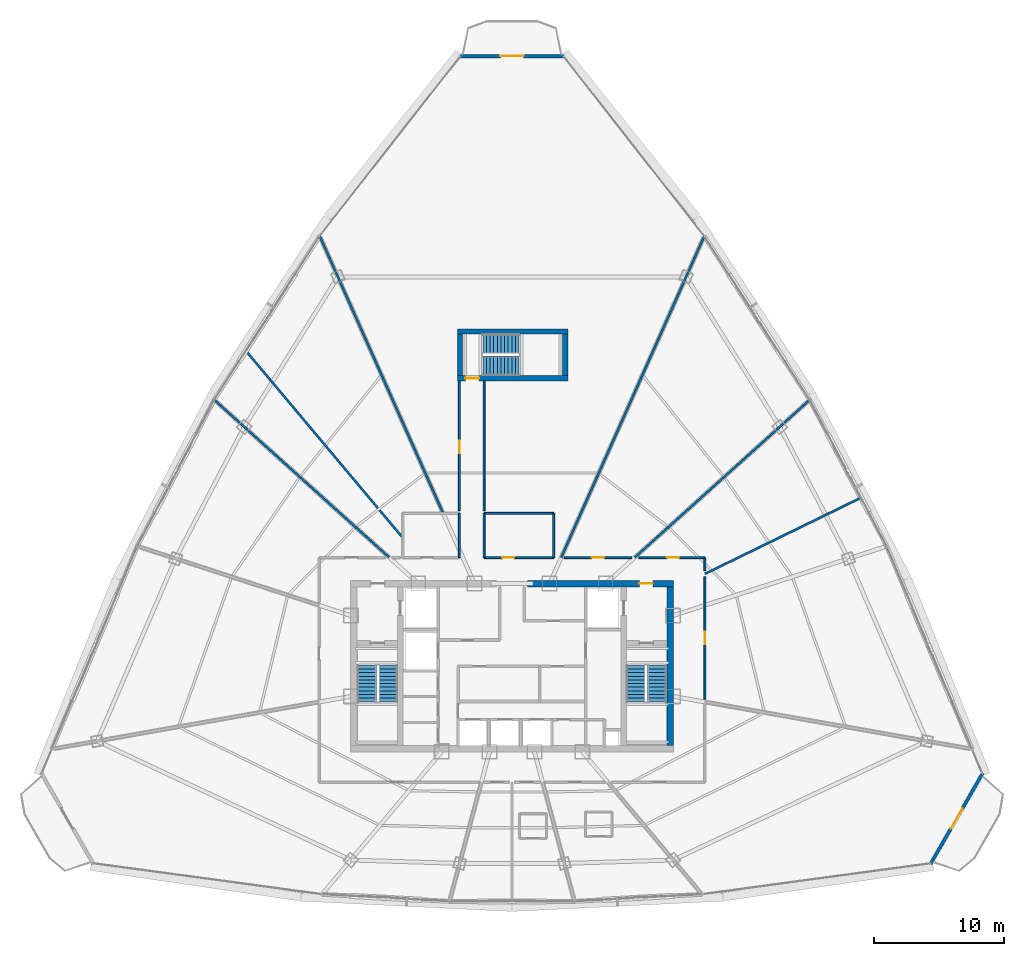
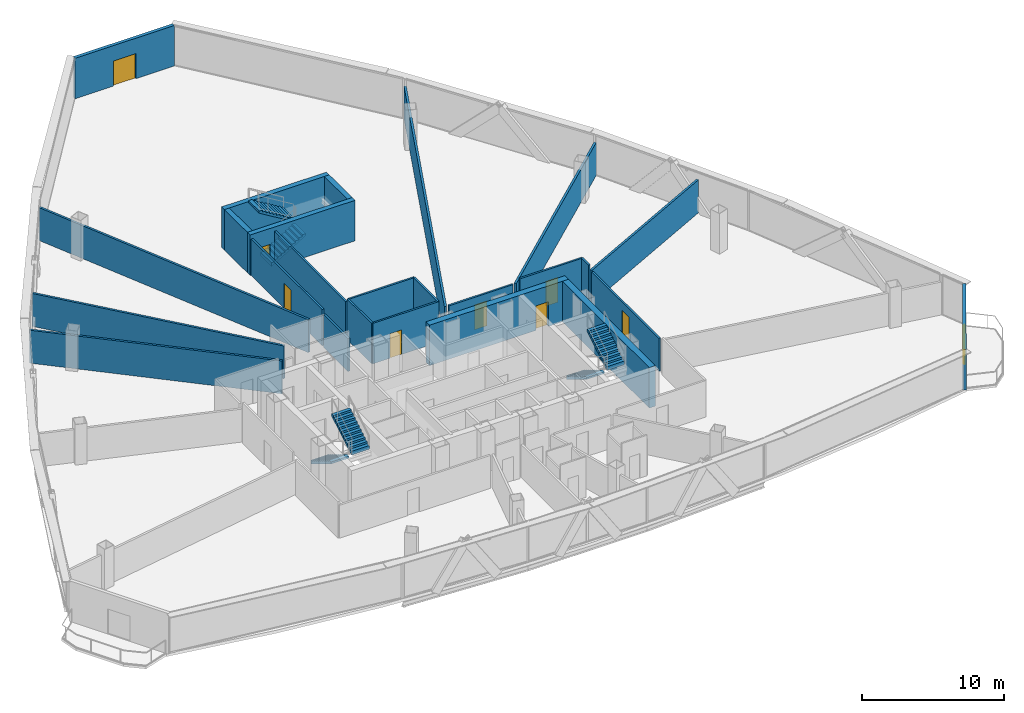
# One storey, part 29 of 34: 25 walls, 9 doors, 6 stair flights, 9 openings, 3 elements without a shape of their own.
"""IFC4 building model written with IfcOpenShell, lengths in metres."""

import ifcopenshell
import ifcopenshell.guid

model = None  # the IFC model being written
_history = None  # IfcOwnerHistory: only IFC2X3 demands one
_inside = {}  # id of a spatial element -> (the spatial element, [elements in it])
_under = {}  # id of a project, library or spatial element -> (it, [spatial elements below it])
_declared = {}  # id of a project -> (the project, [libraries it declares])
_typed = {}  # id of a type object -> (the type object, [elements of that type])
_made_of = {}  # id of a material, layer set ... -> (it, [elements and type objects made of it])


def new_model(schema):
    """Start an empty IFC model of exactly this schema.

    Asked for "IFC4X3", IfcOpenShell would pick the latest addendum, in which some entities
    have other attributes; the version numbers below select the first issue.
    IFC2X3 requires an IfcOwnerHistory on every rooted entity: one is made here for all.
    """
    global model, _history
    if schema == "IFC4X3":
        model = ifcopenshell.file(schema_version=(4, 3, 0, 0))
    else:
        model = ifcopenshell.file(schema=schema)
    _inside.clear()
    _under.clear()
    _declared.clear()
    _typed.clear()
    _made_of.clear()
    _history = None
    if model.schema == "IFC2X3":
        org = make("IfcOrganization", Name="unknown")
        user = make(
            "IfcPersonAndOrganization",
            ThePerson=make("IfcPerson", FamilyName="unknown"),
            TheOrganization=org,
        )
        app = make(
            "IfcApplication",
            ApplicationDeveloper=org,
            Version="unknown",
            ApplicationFullName="unknown",
            ApplicationIdentifier="unknown",
        )
        _history = make(
            "IfcOwnerHistory",
            OwningUser=user,
            OwningApplication=app,
            ChangeAction="ADDED",
            CreationDate=0,
        )
    return model


def make(cls, **values):
    """One entity of the class cls with the attributes given. An attribute that is None is left unset."""
    return model.create_entity(
        cls, **{name: value for name, value in values.items() if value is not None}
    )


def rooted(cls, **values):
    """An entity with a GlobalId (a new one), such as an element, a storey or a relation."""
    return make(cls, GlobalId=ifcopenshell.guid.new(), OwnerHistory=_history, **values)


def si_unit(unit_type, name, prefix=None):
    """IfcSIUnit, for example si_unit("LENGTHUNIT", "METRE", prefix="MILLI")."""
    return make("IfcSIUnit", UnitType=unit_type, Prefix=prefix, Name=name)


def assignment(units):
    """IfcUnitAssignment: the units of a project."""
    return None if units is None else make("IfcUnitAssignment", Units=units)


def point(xyz):
    """IfcCartesianPoint."""
    return None if xyz is None else make("IfcCartesianPoint", Coordinates=xyz)


def direction(xyz):
    """IfcDirection."""
    return None if xyz is None else make("IfcDirection", DirectionRatios=xyz)


def frame(location, z_axis=None, x_axis=None):
    """IfcAxis2Placement3D, a coordinate frame: its origin and axes. An axis left out is left unset."""
    return make(
        "IfcAxis2Placement3D",
        Location=point(location),
        Axis=direction(z_axis),
        RefDirection=direction(x_axis),
    )


def frame_2d(location, x_axis=None):
    """IfcAxis2Placement2D, a coordinate frame in the plane: its origin and x axis."""
    return make(
        "IfcAxis2Placement2D", Location=point(location), RefDirection=direction(x_axis)
    )


def origin():
    """The frame at (0, 0, 0) with its axes left unset."""
    return frame((0.0, 0.0, 0.0))


def origin_with_axes():
    """The frame at (0, 0, 0) with the z axis (0, 0, 1) and the x axis (1, 0, 0) written out."""
    return frame((0.0, 0.0, 0.0), z_axis=(0.0, 0.0, 1.0), x_axis=(1.0, 0.0, 0.0))


def place(relative_to, where):
    """IfcLocalPlacement: puts the frame where relative to a parent placement (None: the world)."""
    return make(
        "IfcLocalPlacement", PlacementRelTo=relative_to, RelativePlacement=where
    )


def context(
    kind, dimensions, precision=None, world=None, true_north=None, identifier=None
):
    """IfcGeometricRepresentationContext, for example the 3D "Model" context."""
    return make(
        "IfcGeometricRepresentationContext",
        ContextIdentifier=identifier,
        ContextType=kind,
        CoordinateSpaceDimension=dimensions,
        Precision=precision,
        WorldCoordinateSystem=world,
        TrueNorth=true_north,
    )


def subcontext(parent, identifier, kind, view, scale=None):
    """IfcGeometricRepresentationSubContext, for example "Body" below "Model"."""
    return make(
        "IfcGeometricRepresentationSubContext",
        ContextIdentifier=identifier,
        ContextType=kind,
        ParentContext=parent,
        TargetScale=scale,
        TargetView=view,
    )


def project(units=None, contexts=None):
    """IfcProject with its units and contexts."""
    return rooted(
        "IfcProject",
        Name="project",
        RepresentationContexts=contexts,
        UnitsInContext=assignment(units),
    )


def spatial(cls, under=None, at=None, **own):
    """A site, building, storey or space (cls), placed at a placement, below another one or the project."""
    s = rooted(cls, ObjectPlacement=at, **own)
    if under is not None:
        _under.setdefault(under.id(), (under, []))[1].append(s)
    return s


def polyline(points):
    """IfcPolyline through the points."""
    return make("IfcPolyline", Points=[point(p) for p in points])


def profile(cls, at=None, kind="AREA", **sizes):
    """A parametric profile (cls). Its sizes go by their IFC names, for example OverallWidth=200.0."""
    return make(cls, ProfileType=kind, Position=at, **sizes)


def rectangle(**sizes):
    """IfcRectangleProfileDef."""
    return profile("IfcRectangleProfileDef", **sizes)


def outline(outer, holes=None, kind="AREA"):
    """IfcArbitraryClosedProfileDef: a profile drawn as a closed curve; with holes, ...WithVoids."""
    if holes is None:
        return make("IfcArbitraryClosedProfileDef", ProfileType=kind, OuterCurve=outer)
    return make(
        "IfcArbitraryProfileDefWithVoids",
        ProfileType=kind,
        OuterCurve=outer,
        InnerCurves=holes,
    )


def extrude(swept, where, along, depth):
    """IfcExtrudedAreaSolid: the profile swept, set in the frame where, extruded along a direction by depth."""
    return make(
        "IfcExtrudedAreaSolid",
        SweptArea=swept,
        Position=where,
        ExtrudedDirection=direction(along),
        Depth=depth,
    )


def shape(context_of_items, identifier, shape_type, items):
    """IfcShapeRepresentation: the items that make up one representation, for example the "Body"."""
    return make(
        "IfcShapeRepresentation",
        ContextOfItems=context_of_items,
        RepresentationIdentifier=identifier,
        RepresentationType=shape_type,
        Items=items,
    )


def source(mapping_origin, context_of_items, identifier, shape_type, items):
    """IfcRepresentationMap: a shape defined once, which mapped items show again and again."""
    return make(
        "IfcRepresentationMap",
        MappingOrigin=mapping_origin,
        MappedRepresentation=shape(context_of_items, identifier, shape_type, items),
    )


def transform(
    local_origin,
    x_axis=None,
    y_axis=None,
    z_axis=None,
    scale=None,
    scale2=None,
    scale3=None,
    uniform=True,
):
    """IfcCartesianTransformationOperator3D, or its non-uniform kind. x_axis, y_axis, z_axis: its Axis1, 2, 3."""
    if uniform:
        return make(
            "IfcCartesianTransformationOperator3D",
            Axis1=direction(x_axis),
            Axis2=direction(y_axis),
            LocalOrigin=point(local_origin),
            Scale=scale,
            Axis3=direction(z_axis),
        )
    return make(
        "IfcCartesianTransformationOperator3DnonUniform",
        Axis1=direction(x_axis),
        Axis2=direction(y_axis),
        LocalOrigin=point(local_origin),
        Scale=scale,
        Axis3=direction(z_axis),
        Scale2=scale2,
        Scale3=scale3,
    )


def mapped(mapping_source, mapping_target):
    """IfcMappedItem: shows the shape of a source again, moved by a transform."""
    return make(
        "IfcMappedItem", MappingSource=mapping_source, MappingTarget=mapping_target
    )


def material(Name=None, Category=None):
    """IfcMaterial."""
    return make("IfcMaterial", Name=Name, Category=Category)


def layer(
    of_material, thickness, ventilated=None, Name=None, Category=None, Priority=None
):
    """IfcMaterialLayer: one layer of a wall or slab, of a material (None: an air gap)."""
    return make(
        "IfcMaterialLayer",
        Material=of_material,
        LayerThickness=thickness,
        IsVentilated=ventilated,
        Name=Name,
        Category=Category,
        Priority=Priority,
    )


def layer_set(layers, Name=None):
    """IfcMaterialLayerSet."""
    return make("IfcMaterialLayerSet", MaterialLayers=layers, LayerSetName=Name)


def made_of(thing, what):
    """Note that an element or type object is made of a material, layer set ...; save() writes the relation."""
    if what is not None:
        _made_of.setdefault(what.id(), (what, []))[1].append(thing)
    return thing


def type_object(cls, material=None, **own):
    """A type object (cls), such as IfcWallType, which elements share."""
    return made_of(rooted(cls, **own), material)


def element(
    cls,
    number,
    at=None,
    inside=None,
    cuts=None,
    type_object=None,
    material=None,
    context=None,
    identifier="Body",
    shape_type=None,
    held_by="IfcProductDefinitionShape",
    body=None,
    shapes=None,
    **own,
):
    """One element of the class cls, such as IfcWall. Its Tag is "e" and its number.

    at: its placement. inside: the storey or other place that contains it. cuts: it is an
    opening in that element (IfcRelVoidsElement). A single representation is given by context,
    identifier, shape_type and body (its items); several are given by shapes. held_by: the class
    of the entity that holds the representations. save() writes the other relations.
    """
    e = rooted(cls, Tag="e%d" % number, ObjectPlacement=at, **own)
    if body is not None:
        shapes = [shape(context, identifier, shape_type, body)]
    if shapes is not None:
        e.Representation = make(held_by, Representations=shapes)
    if inside is not None:
        _inside.setdefault(inside.id(), (inside, []))[1].append(e)
    if cuts is not None:
        rooted(
            "IfcRelVoidsElement", RelatingBuildingElement=cuts, RelatedOpeningElement=e
        )
    if type_object is not None:
        _typed.setdefault(type_object.id(), (type_object, []))[1].append(e)
    return made_of(e, material)


def fill(opening, filler):
    """IfcRelFillsElement: the door or window that sits in an opening."""
    return rooted(
        "IfcRelFillsElement",
        RelatingOpeningElement=opening,
        RelatedBuildingElement=filler,
    )


def aggregate(whole, parts):
    """IfcRelAggregates: a whole, such as a stair, and the parts it consists of."""
    return rooted("IfcRelAggregates", RelatingObject=whole, RelatedObjects=parts)


def save(model, path):
    """Write the relations noted so far, then the file.

    IfcRelAggregates (storeys below a building ...), IfcRelContainedInSpatialStructure (elements
    in a storey), IfcRelDefinesByType, IfcRelAssociatesMaterial and IfcRelDeclares: one each for
    every whole, place, type object, material and project.
    """
    for whole, parts in _under.values():
        aggregate(whole, parts)
    for where, things in _inside.values():
        rooted(
            "IfcRelContainedInSpatialStructure",
            RelatedElements=things,
            RelatingStructure=where,
        )
    for kind, things in _typed.values():
        rooted("IfcRelDefinesByType", RelatedObjects=things, RelatingType=kind)
    for what, things in _made_of.values():
        rooted("IfcRelAssociatesMaterial", RelatedObjects=things, RelatingMaterial=what)
    for by, libraries in _declared.values():
        rooted("IfcRelDeclares", RelatingContext=by, RelatedDefinitions=libraries)
    model.write(path)


model = new_model("IFC4")

# Units and contexts
model_context = context("Model", 3, precision=1e-05, world=origin(), true_north=direction((0.0, 1.0)))
body_context = subcontext(model_context, "Body", "Model", "MODEL_VIEW")
ifc_project = project(units=[si_unit("LENGTHUNIT", "METRE"), si_unit("AREAUNIT", "SQUARE_METRE"), si_unit("VOLUMEUNIT", "CUBIC_METRE"), si_unit("PLANEANGLEUNIT", "RADIAN"), si_unit("MASSUNIT", "GRAM", prefix="KILO"), si_unit("THERMODYNAMICTEMPERATUREUNIT", "KELVIN"), si_unit("POWERUNIT", "WATT")], contexts=[model_context])

# Site, building, storey
site_placement = place(None, origin())
site = spatial("IfcSite", under=ifc_project, at=site_placement, CompositionType="ELEMENT")
building_placement = place(site_placement, origin())
building = spatial("IfcBuilding", under=site, at=building_placement, Name="Yunzhuo Pagoda Commons", CompositionType="ELEMENT")
storey_placement = place(building_placement, frame((0.0, 0.0, 229.610107421875)))
storey = spatial("IfcBuildingStorey", under=building, at=storey_placement, Name="L57", CompositionType="ELEMENT", Elevation=229.610107421875)

# Wall, opening, door
ifc_material_1 = material(Name="Precast concrete C40", Category="concrete")
ifc_layer_1 = layer(ifc_material_1, 0.260009765625)
ifc_layer_set_1 = layer_set([ifc_layer_1], Name="Precast concrete C40")
wall_type_1 = type_object("IfcWallType", Name="W-BAL1 Corner Balcony Threshold Wall 260", PredefinedType="STANDARD", material=ifc_layer_set_1)
wall_1_placement = place(storey_placement, frame((80.22021484375, 18.607666015625, 0.0), z_axis=(0.0, 0.0, 1.0), x_axis=(0.49791595327, 0.867225289921, 0.0)))
wall_1 = element("IfcWall", 1, at=wall_1_placement, inside=storey, type_object=wall_type_1, Name="L57 corner balcony wall V2", PredefinedType="STANDARD", context=body_context, shape_type="SweptSolid", body=[
    extrude(rectangle(XDim=8.07373046875, YDim=0.260009765625, at=frame_2d((4.036865234375, 0.0))), origin(), (0.0, 0.0, 1.0), 3.469970703125),
])
opening_1_placement = place(wall_1_placement, frame((3.136962890625, 0.0, 0.0)))
opening_1 = element("IfcOpeningElement", 2, at=opening_1_placement, cuts=wall_1, Name="Opening D-BAL1", PredefinedType="OPENING", context=body_context, shape_type="SweptSolid", body=[
    extrude(rectangle(XDim=1.800048828125, YDim=2.14990234375, at=frame_2d((0.89990234375, 1.074951171875))), frame((0.0, 0.14013671875, 0.0), z_axis=(0.0, -1.0, 0.0), x_axis=(1.0, 0.0, 0.0)), (0.0, 0.0, 1.0), 0.280029296875),
])
ifc_material_2 = material(Name="Anodized aluminium frame and tempered glazed leaf", Category="aluminium")
door_type_1 = type_object("IfcDoorType", Name="D-BAL1 Corner Balcony Sliding Glazed Door 1800x2150", OperationType="DOUBLE_DOOR_SLIDING", PredefinedType="DOOR", material=ifc_material_2)
shared_shape_1 = source(origin(), body_context, "Body", "SweptSolid", [
    extrude(rectangle(XDim=1.800048828125, YDim=2.14990234375, at=frame_2d((0.89990234375, 1.074951171875))), frame((0.0, 0.02490234375, 0.0), z_axis=(0.0, -1.0, 0.0), x_axis=(1.0, 0.0, 0.0)), (0.0, 0.0, 1.0), 0.050048828125),
])
door_1_placement = place(opening_1_placement, origin_with_axes())
door_1 = element("IfcDoor", 3, at=door_1_placement, inside=storey, type_object=door_type_1, Name="L57 corner balcony sliding door V2", OperationType="DOUBLE_DOOR_SLIDING", OverallHeight=2.14990234375, OverallWidth=1.800048828125, PredefinedType="DOOR", context=body_context, shape_type="MappedRepresentation", body=[
    mapped(shared_shape_1, transform((0.0, 0.0, 0.0), scale=1.0)),
])
fill(opening_1, door_1)

wall_2_placement = place(storey_placement, frame((52.020751953125, 80.802001953125, 0.0), z_axis=(0.0, 0.0, 1.0), x_axis=(-1.0, 0.0, 0.0)))
wall_2 = element("IfcWall", 4, at=wall_2_placement, inside=storey, type_object=wall_type_1, Name="L57 corner balcony wall V3", PredefinedType="STANDARD", context=body_context, shape_type="SweptSolid", body=[
    extrude(rectangle(XDim=8.04150390625, YDim=0.260009765625, at=frame_2d((4.020751953125, 0.0))), origin(), (0.0, 0.0, 1.0), 3.469970703125),
])
opening_2_placement = place(wall_2_placement, frame((3.120849609375, 0.0, 0.0)))
opening_2 = element("IfcOpeningElement", 5, at=opening_2_placement, cuts=wall_2, Name="Opening D-BAL1", PredefinedType="OPENING", context=body_context, shape_type="SweptSolid", body=[
    extrude(rectangle(XDim=1.800048828125, YDim=2.14990234375, at=frame_2d((0.89990234375, 1.074951171875))), frame((0.0, 0.14013671875, 0.0), z_axis=(0.0, -1.0, 0.0), x_axis=(1.0, 0.0, 0.0)), (0.0, 0.0, 1.0), 0.280029296875),
])
door_2_placement = place(opening_2_placement, origin_with_axes())
door_2 = element("IfcDoor", 6, at=door_2_placement, inside=storey, type_object=door_type_1, Name="L57 corner balcony sliding door V3", OperationType="DOUBLE_DOOR_SLIDING", OverallHeight=2.14990234375, OverallWidth=1.800048828125, PredefinedType="DOOR", context=body_context, shape_type="MappedRepresentation", body=[
    mapped(shared_shape_1, transform((0.0, 0.0, 0.0), scale=1.0)),
])
fill(opening_2, door_2)

ifc_material_3 = material(Name="Concrete C50", Category="concrete")
ifc_layer_2 = layer(ifc_material_3, 0.5)
ifc_layer_set_2 = layer_set([ifc_layer_2], Name="Concrete C50")
wall_type_2 = type_object("IfcWallType", Name="W-C03 Upper Core Shear Wall 500", PredefinedType="SHEAR", material=ifc_layer_set_2)
wall_3_placement = place(storey_placement, frame((49.199951171875, 40.199951171875, 0.0), z_axis=(0.0, 0.0, 1.0), x_axis=(1.0, 0.0, 0.0)))
wall_3 = element("IfcWall", 7, at=wall_3_placement, inside=storey, type_object=wall_type_2, Name="L57 core shear wall NE", PredefinedType="SHEAR", context=body_context, shape_type="SweptSolid", body=[
    extrude(rectangle(XDim=11.25, YDim=0.5, at=frame_2d((5.625, 0.0))), origin(), (0.0, 0.0, 1.0), 3.469970703125),
])
opening_3_placement = place(wall_3_placement, frame((8.60009765625, 0.0, 0.0)))
opening_3 = element("IfcOpeningElement", 8, at=opening_3_placement, cuts=wall_3, Name="Opening D-02", PredefinedType="OPENING", context=body_context, shape_type="SweptSolid", body=[
    extrude(rectangle(XDim=1.050048828125, YDim=2.10009765625, at=frame_2d((0.52490234375, 1.050048828125))), frame((0.0, 0.260009765625, 0.0), z_axis=(0.0, -1.0, 0.0), x_axis=(1.0, 0.0, 0.0)), (0.0, 0.0, 1.0), 0.52001953125),
])
ifc_material_4 = material(Name="Galvanized fire-resisting metal leaf")
door_type_2 = type_object("IfcDoorType", Name="D-02 Firefighting Lobby & Refuge Fire Door 1050x2100", OperationType="NOTDEFINED", PredefinedType="DOOR", material=ifc_material_4)
shared_shape_2 = source(origin(), body_context, "Body", "SweptSolid", [
    extrude(rectangle(XDim=1.050048828125, YDim=2.10009765625, at=frame_2d((0.52490234375, 1.050048828125))), frame((0.0, 0.02490234375, 0.0), z_axis=(0.0, -1.0, 0.0), x_axis=(1.0, 0.0, 0.0)), (0.0, 0.0, 1.0), 0.050048828125),
])
door_3_placement = place(opening_3_placement, frame((1.050048828125, 0.0, 0.0), z_axis=(0.0, 0.0, 1.0), x_axis=(-1.0, 0.0, 0.0)))
door_3 = element("IfcDoor", 9, at=door_3_placement, inside=storey, type_object=door_type_2, Name="L57 Firefighting Lobby 2 fire door", OperationType="SINGLE_SWING_RIGHT", OverallHeight=2.10009765625, OverallWidth=1.050048828125, PredefinedType="DOOR", context=body_context, shape_type="MappedRepresentation", body=[
    mapped(shared_shape_2, transform((0.0, 0.0, 0.0), scale=1.0)),
])
fill(opening_3, door_3)

# Walls
wall_4_placement = place(storey_placement, frame((60.199951171875, 27.75, 0.0), z_axis=(0.0, 0.0, 1.0), x_axis=(0.0, 1.0, 0.0)))
element("IfcWall", 10, at=wall_4_placement, inside=storey, type_object=wall_type_2, Name="L57 core shear wall E", PredefinedType="SHEAR", context=body_context, shape_type="SweptSolid", body=[
    extrude(rectangle(XDim=12.199951171875, YDim=0.5, at=frame_2d((6.10009765625, 0.0))), origin(), (0.0, 0.0, 1.0), 3.469970703125),
])
ifc_material_5 = material(Name="Gypsum plasterboard on acoustic stud")
ifc_layer_3 = layer(ifc_material_5, 0.14990234375)
ifc_layer_set_3 = layer_set([ifc_layer_3], Name="Gypsum plasterboard on acoustic stud")
wall_type_3 = type_object("IfcWallType", Name="W-COR3 High-Zone Rated Corridor Wall 150", PredefinedType="PARTITIONING", material=ifc_layer_set_3)
wall_5_placement = place(storey_placement, frame((43.949951171875, 42.199951171875, 0.0), z_axis=(0.0, 0.0, 1.0), x_axis=(0.0, 1.0, 0.0)))
element("IfcWall", 11, at=wall_5_placement, inside=storey, type_object=wall_type_3, Name="L57 interior wall IW-L57-TFWE", PredefinedType="PARTITIONING", context=body_context, shape_type="SweptSolid", body=[
    extrude(rectangle(XDim=3.400146484375, YDim=0.14990234375, at=frame_2d((1.7001953125, 0.0))), origin(), (0.0, 0.0, 1.0), 2.81982421875),
])

# Wall, opening, door
wall_6_placement = place(storey_placement, frame((45.85009765625, 42.199951171875, 0.0), z_axis=(0.0, 0.0, 1.0), x_axis=(1.0, 0.0, 0.0)))
wall_6 = element("IfcWall", 12, at=wall_6_placement, inside=storey, type_object=wall_type_3, Name="L57 interior wall IW-L57-TFES", PredefinedType="PARTITIONING", context=body_context, shape_type="SweptSolid", body=[
    extrude(rectangle(XDim=5.349853515625, YDim=0.14990234375, at=frame_2d((2.6748046875, 0.0))), origin(), (0.0, 0.0, 1.0), 3.469970703125),
])
opening_4_placement = place(wall_6_placement, frame((1.39990234375, 0.0, 0.0)))
opening_4 = element("IfcOpeningElement", 13, at=opening_4_placement, cuts=wall_6, Name="Opening D-11", PredefinedType="OPENING", context=body_context, shape_type="SweptSolid", body=[
    extrude(rectangle(XDim=0.93994140625, YDim=2.10009765625, at=frame_2d((0.469970703125, 1.050048828125))), frame((0.0, 0.0849609375, 0.0), z_axis=(0.0, -1.0, 0.0), x_axis=(1.0, 0.0, 0.0)), (0.0, 0.0, 1.0), 0.169921875),
])
door_type_3 = type_object("IfcDoorType", Name="D-11 Accessible Washroom Fire Door 940x2100", OperationType="NOTDEFINED", PredefinedType="DOOR", material=ifc_material_4)
shared_shape_3 = source(origin(), body_context, "Body", "SweptSolid", [
    extrude(rectangle(XDim=0.93994140625, YDim=2.10009765625, at=frame_2d((0.469970703125, 1.050048828125))), frame((0.0, 0.02490234375, 0.0), z_axis=(0.0, -1.0, 0.0), x_axis=(1.0, 0.0, 0.0)), (0.0, 0.0, 1.0), 0.050048828125),
])
door_4_placement = place(opening_4_placement, frame((0.93994140625, 0.0, 0.0), z_axis=(0.0, 0.0, 1.0), x_axis=(-1.0, 0.0, 0.0)))
door_4 = element("IfcDoor", 14, at=door_4_placement, inside=storey, type_object=door_type_3, Name="L57 accessible WC door", OperationType="SINGLE_SWING_RIGHT", OverallHeight=2.10009765625, OverallWidth=0.93994140625, PredefinedType="DOOR", context=body_context, shape_type="MappedRepresentation", body=[
    mapped(shared_shape_3, transform((0.0, 0.0, 0.0), scale=1.0)),
])
fill(opening_4, door_4)

# Walls
wall_7_placement = place(storey_placement, frame((45.85009765625, 45.60009765625, 0.0), z_axis=(0.0, 0.0, 1.0), x_axis=(1.0, 0.0, 0.0)))
element("IfcWall", 15, at=wall_7_placement, inside=storey, type_object=wall_type_3, Name="L57 interior wall IW-L57-TFEN", PredefinedType="PARTITIONING", context=body_context, shape_type="SweptSolid", body=[
    extrude(rectangle(XDim=5.349853515625, YDim=0.14990234375, at=frame_2d((2.6748046875, 0.0))), origin(), (0.0, 0.0, 1.0), 3.469970703125),
])
for number, where, z_axis, x_axis, name in (
    (16, (45.85009765625, 42.199951171875, 0.0), (0.0, 0.0, 1.0), (0.0, 1.0, 0.0), "L57 interior wall IW-L57-TFEW"),
    (17, (51.199951171875, 42.199951171875, 0.0), (0.0, 0.0, 1.0), (0.0, 1.0, 0.0), "L57 interior wall IW-L57-TFEE"),
):
    element("IfcWall", number, at=place(storey_placement, frame(where, z_axis=z_axis, x_axis=x_axis)), inside=storey, type_object=wall_type_3, Name=name, PredefinedType="PARTITIONING", context=body_context, shape_type="SweptSolid", body=[
        extrude(rectangle(XDim=3.400146484375, YDim=0.14990234375, at=frame_2d((1.7001953125, 0.0))), origin(), (0.0, 0.0, 1.0), 3.469970703125),
    ])

# Wall, opening, door
wall_8_placement = place(storey_placement, frame((43.949951171875, 45.820068359375, 0.0), z_axis=(0.0, 0.0, 1.0), x_axis=(0.0, 1.0, 0.0)))
wall_8 = element("IfcWall", 18, at=wall_8_placement, inside=storey, type_object=wall_type_3, Name="L57 interior wall IW-L57-CWL06", PredefinedType="PARTITIONING", context=body_context, shape_type="SweptSolid", body=[
    extrude(rectangle(XDim=9.9599609375, YDim=0.14990234375, at=frame_2d((4.97998046875, 0.0))), origin(), (0.0, 0.0, 1.0), 3.119873046875),
])
opening_5_placement = place(wall_8_placement, frame((4.39501953125, 0.0, 0.0)))
opening_5 = element("IfcOpeningElement", 19, at=opening_5_placement, cuts=wall_8, Name="Opening D-08", PredefinedType="OPENING", context=body_context, shape_type="SweptSolid", body=[
    extrude(rectangle(XDim=0.97998046875, YDim=2.1201171875, at=frame_2d((0.489990234375, 1.06005859375))), frame((0.0, 0.0849609375, 0.0), z_axis=(0.0, -1.0, 0.0), x_axis=(1.0, 0.0, 0.0)), (0.0, 0.0, 1.0), 0.169921875),
])
door_type_4 = type_object("IfcDoorType", Name="D-08 High-Zone Suite Entrance Fire Door 980x2120", OperationType="NOTDEFINED", PredefinedType="DOOR", material=ifc_material_4)
shared_shape_4 = source(origin(), body_context, "Body", "SweptSolid", [
    extrude(rectangle(XDim=0.97998046875, YDim=2.1201171875, at=frame_2d((0.489990234375, 1.06005859375))), frame((0.0, 0.02490234375, 0.0), z_axis=(0.0, -1.0, 0.0), x_axis=(1.0, 0.0, 0.0)), (0.0, 0.0, 1.0), 0.050048828125),
])
door_5_placement = place(opening_5_placement, origin_with_axes())
door_5 = element("IfcDoor", 20, at=door_5_placement, inside=storey, type_object=door_type_4, Name="L57 unit 04 entrance door", OperationType="SINGLE_SWING_RIGHT", OverallHeight=2.1201171875, OverallWidth=0.97998046875, PredefinedType="DOOR", context=body_context, shape_type="MappedRepresentation", body=[
    mapped(shared_shape_4, transform((0.0, 0.0, 0.0), scale=1.0)),
])
fill(opening_5, door_5)

# Wall
wall_9_placement = place(storey_placement, frame((45.85009765625, 55.780029296875, 0.0), z_axis=(0.0, 0.0, 1.0), x_axis=(0.0, -1.0, 0.0)))
element("IfcWall", 21, at=wall_9_placement, inside=storey, type_object=wall_type_3, Name="L57 interior wall IW-L57-CWL07", PredefinedType="PARTITIONING", context=body_context, shape_type="SweptSolid", body=[
    extrude(rectangle(XDim=9.9599609375, YDim=0.14990234375, at=frame_2d((4.97998046875, 0.0))), origin(), (0.0, 0.0, 1.0), 3.119873046875),
])

# Wall, opening, door
wall_10_placement = place(storey_placement, frame((52.025146484375, 42.199951171875, 0.0), z_axis=(0.0, 0.0, 1.0), x_axis=(1.0, 0.0, 0.0)))
wall_10 = element("IfcWall", 22, at=wall_10_placement, inside=storey, type_object=wall_type_3, Name="L57 interior wall IW-L57-CWL08", PredefinedType="PARTITIONING", context=body_context, shape_type="SweptSolid", body=[
    extrude(rectangle(XDim=5.1953125, YDim=0.14990234375, at=frame_2d((2.59765625, 0.0))), origin(), (0.0, 0.0, 1.0), 2.81982421875),
])
opening_6_placement = place(wall_10_placement, frame((2.112060546875, 0.0, 0.0)))
opening_6 = element("IfcOpeningElement", 23, at=opening_6_placement, cuts=wall_10, Name="Opening D-08", PredefinedType="OPENING", context=body_context, shape_type="SweptSolid", body=[
    extrude(rectangle(XDim=0.97998046875, YDim=2.1201171875, at=frame_2d((0.489990234375, 1.06005859375))), frame((0.0, 0.0849609375, 0.0), z_axis=(0.0, -1.0, 0.0), x_axis=(1.0, 0.0, 0.0)), (0.0, 0.0, 1.0), 0.169921875),
])
door_6_placement = place(opening_6_placement, origin_with_axes())
door_6 = element("IfcDoor", 24, at=door_6_placement, inside=storey, type_object=door_type_4, Name="L57 unit 03 entrance door", OperationType="SINGLE_SWING_LEFT", OverallHeight=2.1201171875, OverallWidth=0.97998046875, PredefinedType="DOOR", context=body_context, shape_type="MappedRepresentation", body=[
    mapped(shared_shape_4, transform((0.0, 0.0, 0.0), scale=1.0)),
])
fill(opening_6, door_6)

wall_11_placement = place(storey_placement, frame((57.76904296875, 42.199951171875, 0.0), z_axis=(0.0, 0.0, 1.0), x_axis=(1.0, 0.0, 0.0)))
wall_11 = element("IfcWall", 25, at=wall_11_placement, inside=storey, type_object=wall_type_3, Name="L57 interior wall IW-L57-CWL09", PredefinedType="PARTITIONING", context=body_context, shape_type="SweptSolid", body=[
    extrude(rectangle(XDim=5.0810546875, YDim=0.14990234375, at=frame_2d((2.54052734375, 0.0))), origin(), (0.0, 0.0, 1.0), 3.119873046875),
])
opening_7_placement = place(wall_11_placement, frame((2.131103515625, 0.0, 0.0)))
opening_7 = element("IfcOpeningElement", 26, at=opening_7_placement, cuts=wall_11, Name="Opening D-08", PredefinedType="OPENING", context=body_context, shape_type="SweptSolid", body=[
    extrude(rectangle(XDim=0.97998046875, YDim=2.1201171875, at=frame_2d((0.489990234375, 1.06005859375))), frame((0.0, 0.0849609375, 0.0), z_axis=(0.0, -1.0, 0.0), x_axis=(1.0, 0.0, 0.0)), (0.0, 0.0, 1.0), 0.169921875),
])
door_7_placement = place(opening_7_placement, origin_with_axes())
door_7 = element("IfcDoor", 27, at=door_7_placement, inside=storey, type_object=door_type_4, Name="L57 unit 02 entrance door", OperationType="SINGLE_SWING_RIGHT", OverallHeight=2.1201171875, OverallWidth=0.97998046875, PredefinedType="DOOR", context=body_context, shape_type="MappedRepresentation", body=[
    mapped(shared_shape_4, transform((0.0, 0.0, 0.0), scale=1.0)),
])
fill(opening_7, door_7)

# Wall
wall_12_placement = place(storey_placement, frame((62.85009765625, 42.199951171875, 0.0), z_axis=(0.0, 0.0, 1.0), x_axis=(0.0, -1.0, 0.0)))
element("IfcWall", 28, at=wall_12_placement, inside=storey, type_object=wall_type_3, Name="L57 interior wall IW-L57-CWL10", PredefinedType="PARTITIONING", context=body_context, shape_type="SweptSolid", body=[
    extrude(rectangle(XDim=1.012451171875, YDim=0.14990234375, at=frame_2d((0.50634765625, 0.0))), origin(), (0.0, 0.0, 1.0), 3.119873046875),
])

# Wall, opening, door
wall_13_placement = place(storey_placement, frame((62.85009765625, 40.722900390625, 0.0), z_axis=(0.0, 0.0, 1.0), x_axis=(0.0, -1.0, 0.0)))
wall_13 = element("IfcWall", 29, at=wall_13_placement, inside=storey, type_object=wall_type_3, Name="L57 interior wall IW-L57-CWL11", PredefinedType="PARTITIONING", context=body_context, shape_type="SweptSolid", body=[
    extrude(rectangle(XDim=9.421630859375, YDim=0.14990234375, at=frame_2d((4.7109375, 0.0))), origin(), (0.0, 0.0, 1.0), 2.81982421875),
])
opening_8_placement = place(wall_13_placement, frame((4.23583984375, 0.0, 0.0)))
opening_8 = element("IfcOpeningElement", 30, at=opening_8_placement, cuts=wall_13, Name="Opening D-08", PredefinedType="OPENING", context=body_context, shape_type="SweptSolid", body=[
    extrude(rectangle(XDim=0.97998046875, YDim=2.1201171875, at=frame_2d((0.489990234375, 1.06005859375))), frame((0.0, 0.0849609375, 0.0), z_axis=(0.0, -1.0, 0.0), x_axis=(1.0, 0.0, 0.0)), (0.0, 0.0, 1.0), 0.169921875),
])
door_8_placement = place(opening_8_placement, origin_with_axes())
door_8 = element("IfcDoor", 31, at=door_8_placement, inside=storey, type_object=door_type_4, Name="L57 Shared Resident Kitchen and Pantry door", OperationType="SINGLE_SWING_LEFT", OverallHeight=2.1201171875, OverallWidth=0.97998046875, PredefinedType="DOOR", context=body_context, shape_type="MappedRepresentation", body=[
    mapped(shared_shape_4, transform((0.0, 0.0, 0.0), scale=1.0)),
])
fill(opening_8, door_8)

# Walls
ifc_layer_4 = layer(ifc_material_5, 0.169921875)
ifc_layer_set_4 = layer_set([ifc_layer_4], Name="Gypsum plasterboard on acoustic stud")
wall_type_4 = type_object("IfcWallType", Name="W-PRT4 High-Zone Demising Wall 170", PredefinedType="PARTITIONING", material=ifc_layer_set_4)
wall_14_placement = place(storey_placement, frame((62.85009765625, 40.94287109375, 0.0), z_axis=(0.0, 0.0, 1.0), x_axis=(0.89879807188, 0.438362893029, 0.0)))
element("IfcWall", 32, at=wall_14_placement, inside=storey, type_object=wall_type_4, Name="L57 interior wall IW-L57-RAD01", PredefinedType="PARTITIONING", context=body_context, shape_type="SweptSolid", body=[
    extrude(rectangle(XDim=13.3837890625, YDim=0.169921875, at=frame_2d((6.69189453125, 0.0))), origin(), (0.0, 0.0, 1.0), 2.81982421875),
])
wall_15_placement = place(storey_placement, frame((57.440185546875, 42.199951171875, 0.0), z_axis=(0.0, 0.0, 1.0), x_axis=(0.743147575456, 0.669127552185, 0.0)))
element("IfcWall", 33, at=wall_15_placement, inside=storey, type_object=wall_type_4, Name="L57 interior wall IW-L57-RAD02", PredefinedType="PARTITIONING", context=body_context, shape_type="SweptSolid", body=[
    extrude(rectangle(XDim=18.140625, YDim=0.169921875, at=frame_2d((9.0703125, 0.0))), origin(), (0.0, 0.0, 1.0), 2.81982421875),
])
wall_16_placement = place(storey_placement, frame((51.784423828125, 42.199951171875, 0.0), z_axis=(0.0, 0.0, 1.0), x_axis=(0.406737084028, 0.913545261318, 0.0)))
element("IfcWall", 34, at=wall_16_placement, inside=storey, type_object=wall_type_4, Name="L57 interior wall IW-L57-RAD03", PredefinedType="PARTITIONING", context=body_context, shape_type="SweptSolid", body=[
    extrude(rectangle(XDim=27.090087890625, YDim=0.169921875, at=frame_2d((13.544921875, 0.0))), origin(), (0.0, 0.0, 1.0), 2.81982421875),
])
wall_17_placement = place(storey_placement, frame((42.701904296875, 45.60009765625, 0.0), z_axis=(0.0, 0.0, 1.0), x_axis=(-0.406743256781, 0.913542513003, 0.0)))
element("IfcWall", 35, at=wall_17_placement, inside=storey, type_object=wall_type_4, Name="L57 interior wall IW-L57-RAD04", PredefinedType="PARTITIONING", context=body_context, shape_type="SweptSolid", body=[
    extrude(rectangle(XDim=23.3681640625, YDim=0.169921875, at=frame_2d((11.68408203125, 0.0))), origin(), (0.0, 0.0, 1.0), 2.81982421875),
])
wall_18_placement = place(storey_placement, frame((39.60009765625, 43.710693359375, 0.0), z_axis=(0.0, 0.0, 1.0), x_axis=(-0.642791950905, 0.766040800383, 0.0)))
element("IfcWall", 36, at=wall_18_placement, inside=storey, type_object=wall_type_4, Name="L57 interior wall IW-L57-RAD05", PredefinedType="PARTITIONING", context=body_context, shape_type="SweptSolid", body=[
    extrude(rectangle(XDim=18.806396484375, YDim=0.169921875, at=frame_2d((9.4033203125, 0.0))), origin(), (0.0, 0.0, 1.0), 2.81982421875),
])
wall_19_placement = place(storey_placement, frame((38.559814453125, 42.199951171875, 0.0), z_axis=(0.0, 0.0, 1.0), x_axis=(-0.743147575456, 0.669127552185, 0.0)))
element("IfcWall", 37, at=wall_19_placement, inside=storey, type_object=wall_type_4, Name="L57 interior wall IW-L57-RAD06", PredefinedType="PARTITIONING", context=body_context, shape_type="SweptSolid", body=[
    extrude(rectangle(XDim=18.140625, YDim=0.169921875, at=frame_2d((9.0703125, 0.0))), origin(), (0.0, 0.0, 1.0), 2.81982421875),
])
ifc_material_6 = material(Name="Concrete C60", Category="concrete")
ifc_layer_5 = layer(ifc_material_6, 0.39990234375)
ifc_layer_set_5 = layer_set([ifc_layer_5], Name="Concrete C60")
wall_type_5 = type_object("IfcWallType", Name="W-S01 Internal Core Shear Web 400", PredefinedType="SHEAR", material=ifc_layer_set_5)
wall_20_placement = place(storey_placement, frame((43.800048828125, 59.60009765625, 0.0), z_axis=(0.0, 0.0, 1.0), x_axis=(1.0, 0.0, 0.0)))
element("IfcWall", 38, at=wall_20_placement, inside=storey, type_object=wall_type_5, Name="L57 ST3 structural stair wall N", PredefinedType="SHEAR", context=body_context, shape_type="SweptSolid", body=[
    extrude(rectangle(XDim=8.5, YDim=0.39990234375, at=frame_2d((4.25, 0.0))), origin(), (0.0, 0.0, 1.0), 3.469970703125),
])

# Wall, opening, door
wall_21_placement = place(storey_placement, frame((43.800048828125, 56.0, 0.0), z_axis=(0.0, 0.0, 1.0), x_axis=(1.0, 0.0, 0.0)))
wall_21 = element("IfcWall", 39, at=wall_21_placement, inside=storey, type_object=wall_type_5, Name="L57 ST3 structural stair wall S", PredefinedType="SHEAR", context=body_context, shape_type="SweptSolid", body=[
    extrude(rectangle(XDim=8.5, YDim=0.39990234375, at=frame_2d((4.25, 0.0))), origin(), (0.0, 0.0, 1.0), 3.469970703125),
])
opening_9_placement = place(wall_21_placement, frame((0.6201171875, 0.0, 0.0)))
opening_9 = element("IfcOpeningElement", 40, at=opening_9_placement, cuts=wall_21, Name="Opening D-01", PredefinedType="OPENING", context=body_context, shape_type="SweptSolid", body=[
    extrude(rectangle(XDim=1.050048828125, YDim=2.10009765625, at=frame_2d((0.52490234375, 1.050048828125))), frame((0.0, 0.2099609375, 0.0), z_axis=(0.0, -1.0, 0.0), x_axis=(1.0, 0.0, 0.0)), (0.0, 0.0, 1.0), 0.419921875),
])
door_type_5 = type_object("IfcDoorType", Name="D-01 Smokeproof Stair Fire Door 1050x2100", OperationType="NOTDEFINED", PredefinedType="DOOR", material=ifc_material_4)
door_9_placement = place(opening_9_placement, frame((1.050048828125, 0.0, 0.0), z_axis=(0.0, 0.0, 1.0), x_axis=(-1.0, 0.0, 0.0)))
door_9 = element("IfcDoor", 41, at=door_9_placement, inside=storey, type_object=door_type_5, Name="L57 Stair ST3 fire door", OperationType="SINGLE_SWING_LEFT", OverallHeight=2.10009765625, OverallWidth=1.050048828125, PredefinedType="DOOR", context=body_context, shape_type="MappedRepresentation", body=[
    mapped(shared_shape_2, transform((0.0, 0.0, 0.0), scale=1.0)),
])
fill(opening_9, door_9)

# Walls
for number, where, z_axis, x_axis, name in (
    (42, (44.0, 56.199951171875, 0.0), (0.0, 0.0, 1.0), (0.0, 1.0, 0.0), "L57 ST3 structural stair wall W"),
    (43, (52.10009765625, 56.199951171875, 0.0), (0.0, 0.0, 1.0), (0.0, 1.0, 0.0), "L57 ST3 structural stair wall E"),
):
    element("IfcWall", number, at=place(storey_placement, frame(where, z_axis=z_axis, x_axis=x_axis)), inside=storey, type_object=wall_type_5, Name=name, PredefinedType="SHEAR", context=body_context, shape_type="SweptSolid", body=[
        extrude(rectangle(XDim=3.199951171875, YDim=0.39990234375, at=frame_2d((1.60009765625, 0.0))), origin(), (0.0, 0.0, 1.0), 3.469970703125),
    ])

# Stair, stair flights
ifc_material_7 = material(Name="Concrete C40", Category="concrete")
stair_type_1 = type_object("IfcStairType", Name="ST-C1 Core Smokeproof Stair ST1", PredefinedType="HALF_TURN_STAIR", material=ifc_material_7)
stair_1_placement = place(storey_placement, origin())
stair_1 = element("IfcStair", 44, at=stair_1_placement, inside=storey, type_object=stair_type_1, Name="L57 Core smokeproof stair ST1", PredefinedType="HALF_TURN_STAIR")
stair_flight_type_1 = type_object("IfcStairFlightType", Name="STF-C1 Core Stair Flight 1450", PredefinedType="STRAIGHT", material=ifc_material_7)
shared_shape_5 = source(origin(), body_context, "Body", "SweptSolid", [
    extrude(outline(polyline([(0.0, -0.14990234375), (0.0, 0.0), (0.0, 0.16943359375), (0.280029296875, 0.16943359375), (0.280029296875, 0.339111328125), (0.56005859375, 0.339111328125), (0.56005859375, 0.508544921875), (0.840087890625, 0.508544921875), (0.840087890625, 0.67822265625), (1.1201171875, 0.67822265625), (1.1201171875, 0.84765625), (1.39990234375, 0.84765625), (1.39990234375, 1.017333984375), (1.679931640625, 1.017333984375), (1.679931640625, 1.186767578125), (1.9599609375, 1.186767578125), (1.9599609375, 1.3564453125), (2.239990234375, 1.3564453125), (2.239990234375, 1.52587890625), (2.52001953125, 1.52587890625), (2.52001953125, 1.695556640625), (2.800048828125, 1.695556640625), (2.800048828125, 1.864990234375), (2.800048828125, 1.520263671875), (0.289306640625, 0.0), (0.050048828125, -0.14990234375), (0.0, -0.14990234375)])), frame((0.0, 0.72509765625, 0.0), z_axis=(0.0, -1.0, 0.0), x_axis=(1.0, 0.0, 0.0)), (0.0, 0.0, 1.0), 1.449951171875),
])
stair_flight_1_placement = place(storey_placement, frame((36.824951171875, 33.89990234375, 0.0), z_axis=(0.0, 0.0, 1.0), x_axis=(0.0, -1.0, 0.0)))
stair_flight_1 = element("IfcStairFlight", 45, at=stair_flight_1_placement, type_object=stair_flight_type_1, Name="ST1 flight 1", NumberOfRisers=11, NumberOfTreads=10, PredefinedType="STRAIGHT", RiserHeight=0.169545455, TreadLength=0.28, context=body_context, shape_type="MappedRepresentation", body=[
    mapped(shared_shape_5, transform((0.0, 0.0, 0.0), scale=1.0)),
])
stair_flight_2_placement = place(storey_placement, frame((38.47509765625, 31.10009765625, 1.864990234375), z_axis=(0.0, 0.0, 1.0), x_axis=(0.0, 1.0, 0.0)))
stair_flight_2 = element("IfcStairFlight", 46, at=stair_flight_2_placement, type_object=stair_flight_type_1, Name="ST1 flight 2", NumberOfRisers=11, NumberOfTreads=10, PredefinedType="STRAIGHT", RiserHeight=0.169545455, TreadLength=0.28, context=body_context, shape_type="MappedRepresentation", body=[
    mapped(shared_shape_5, transform((0.0, 0.0, 0.0), scale=1.0)),
])
aggregate(stair_1, [stair_flight_1, stair_flight_2])

stair_type_2 = type_object("IfcStairType", Name="ST-C2 Core Smokeproof Stair ST2", PredefinedType="HALF_TURN_STAIR", material=ifc_material_7)
stair_2_placement = place(storey_placement, origin())
stair_2 = element("IfcStair", 47, at=stair_2_placement, inside=storey, type_object=stair_type_2, Name="L57 Core smokeproof stair ST2", PredefinedType="HALF_TURN_STAIR")
stair_flight_type_2 = type_object("IfcStairFlightType", Name="STF-C2 Core Stair Flight 1460", PredefinedType="STRAIGHT", material=ifc_material_7)
stair_flight_3_placement = place(storey_placement, frame((57.52490234375, 33.89990234375, 0.0), z_axis=(0.0, 0.0, 1.0), x_axis=(0.0, -1.0, 0.0)))
stair_flight_3 = element("IfcStairFlight", 48, at=stair_flight_3_placement, type_object=stair_flight_type_2, Name="ST2 flight 1", NumberOfRisers=11, NumberOfTreads=10, PredefinedType="STRAIGHT", RiserHeight=0.169545455, TreadLength=0.28, context=body_context, shape_type="MappedRepresentation", body=[
    mapped(shared_shape_5, transform((0.0, 0.0, 0.0), scale=1.0)),
])
stair_flight_4_placement = place(storey_placement, frame((59.175048828125, 31.10009765625, 1.864990234375), z_axis=(0.0, 0.0, 1.0), x_axis=(0.0, 1.0, 0.0)))
stair_flight_4 = element("IfcStairFlight", 49, at=stair_flight_4_placement, type_object=stair_flight_type_2, Name="ST2 flight 2", NumberOfRisers=11, NumberOfTreads=10, PredefinedType="STRAIGHT", RiserHeight=0.169545455, TreadLength=0.28, context=body_context, shape_type="MappedRepresentation", body=[
    mapped(shared_shape_5, transform((0.0, 0.0, 0.0), scale=1.0)),
])
aggregate(stair_2, [stair_flight_3, stair_flight_4])

stair_type_3 = type_object("IfcStairType", Name="ST-C3 North Tower Smokeproof Stair ST3", PredefinedType="HALF_TURN_STAIR", material=ifc_material_7)
stair_3_placement = place(storey_placement, origin())
stair_3 = element("IfcStair", 50, at=stair_3_placement, inside=storey, type_object=stair_type_3, Name="L57 North tower smokeproof stair ST3", PredefinedType="HALF_TURN_STAIR")
stair_flight_type_3 = type_object("IfcStairFlightType", Name="STF-C3 North Stair Flight 1500", PredefinedType="STRAIGHT", material=ifc_material_7)
shared_shape_6 = source(origin(), body_context, "Body", "SweptSolid", [
    extrude(outline(polyline([(0.0, -0.14990234375), (0.0, 0.0), (0.0, 0.16943359375), (0.280029296875, 0.16943359375), (0.280029296875, 0.339111328125), (0.56005859375, 0.339111328125), (0.56005859375, 0.508544921875), (0.840087890625, 0.508544921875), (0.840087890625, 0.67822265625), (1.1201171875, 0.67822265625), (1.1201171875, 0.84765625), (1.39990234375, 0.84765625), (1.39990234375, 1.017333984375), (1.679931640625, 1.017333984375), (1.679931640625, 1.186767578125), (1.9599609375, 1.186767578125), (1.9599609375, 1.3564453125), (2.239990234375, 1.3564453125), (2.239990234375, 1.52587890625), (2.52001953125, 1.52587890625), (2.52001953125, 1.695556640625), (2.800048828125, 1.695556640625), (2.800048828125, 1.864990234375), (2.800048828125, 1.520263671875), (0.289306640625, 0.0), (0.050048828125, -0.14990234375), (0.0, -0.14990234375)])), frame((0.0, 0.75, 0.0), z_axis=(0.0, -1.0, 0.0), x_axis=(1.0, 0.0, 0.0)), (0.0, 0.0, 1.0), 1.5),
])
stair_flight_5_placement = place(storey_placement, frame((45.75, 56.949951171875, 0.0), z_axis=(0.0, 0.0, 1.0), x_axis=(1.0, 0.0, 0.0)))
stair_flight_5 = element("IfcStairFlight", 51, at=stair_flight_5_placement, type_object=stair_flight_type_3, Name="ST3 flight 1", NumberOfRisers=11, NumberOfTreads=10, PredefinedType="STRAIGHT", RiserHeight=0.169545455, TreadLength=0.28, context=body_context, shape_type="MappedRepresentation", body=[
    mapped(shared_shape_6, transform((0.0, 0.0, 0.0), scale=1.0)),
])
stair_flight_6_placement = place(storey_placement, frame((48.550048828125, 58.64990234375, 1.864990234375), z_axis=(0.0, 0.0, 1.0), x_axis=(-1.0, 0.0, 0.0)))
stair_flight_6 = element("IfcStairFlight", 52, at=stair_flight_6_placement, type_object=stair_flight_type_3, Name="ST3 flight 2", NumberOfRisers=11, NumberOfTreads=10, PredefinedType="STRAIGHT", RiserHeight=0.169545455, TreadLength=0.28, context=body_context, shape_type="MappedRepresentation", body=[
    mapped(shared_shape_6, transform((0.0, 0.0, 0.0), scale=1.0)),
])
aggregate(stair_3, [stair_flight_5, stair_flight_6])

save(model, "model.ifc")
